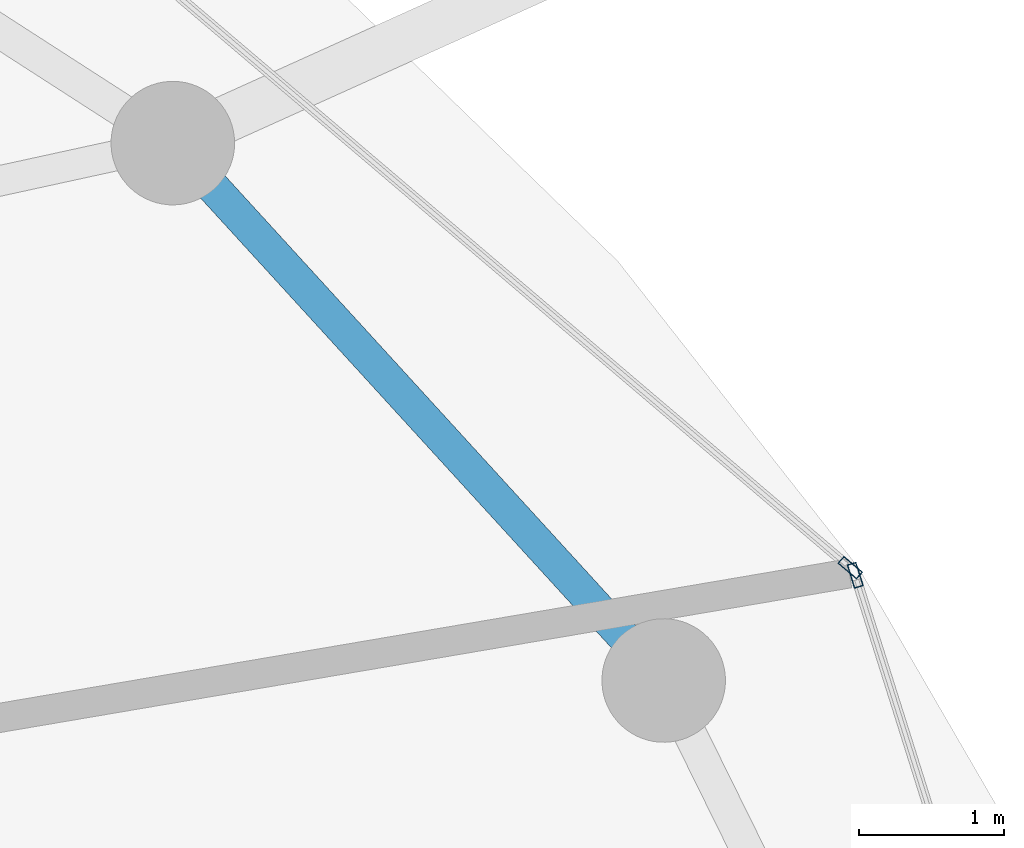
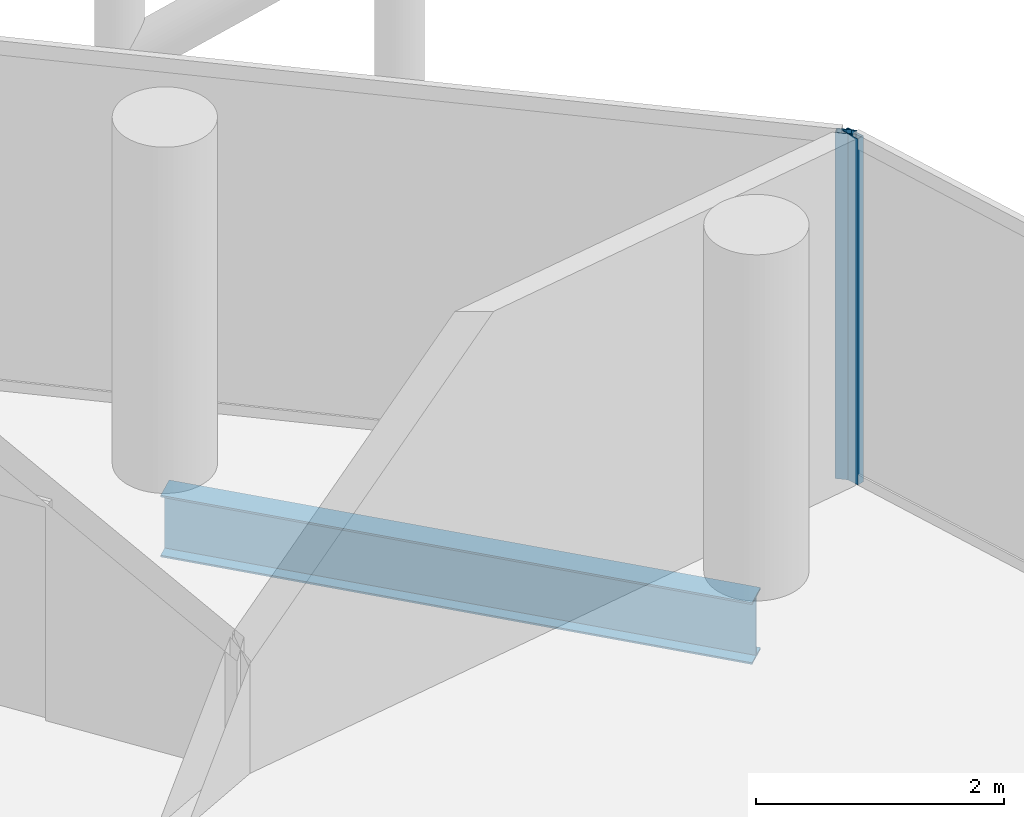
# One storey, part 17 of 27: 2 members, 1 beam, 2 elements without a shape of their own.
"""IFC4 building model written with IfcOpenShell, lengths in metres."""

from ifc_helpers import new_model, si_unit, direction, frame, origin, origin_2d, place, context, subcontext, project, spatial, hollow_rectangle, i_section, extrude, material, layer, layer_set, material_profile, profile_set, type_object, element, aggregate, save


model = new_model("IFC4")

# Units and contexts
model_context = context("Model", 3, precision=1e-05, world=origin(), true_north=direction((0.0, 1.0)))
body_context = subcontext(model_context, "Body", "Model", "MODEL_VIEW")
ifc_project = project(units=[si_unit("LENGTHUNIT", "METRE"), si_unit("AREAUNIT", "SQUARE_METRE"), si_unit("VOLUMEUNIT", "CUBIC_METRE"), si_unit("PLANEANGLEUNIT", "RADIAN"), si_unit("MASSUNIT", "GRAM", prefix="KILO")], contexts=[model_context])

# Site, building, storey
site_placement = place(None, origin())
site = spatial("IfcSite", under=ifc_project, at=site_placement, CompositionType="ELEMENT")
building_placement = place(site_placement, origin())
building = spatial("IfcBuilding", under=site, at=building_placement, Name="Nuhasar Tower", CompositionType="ELEMENT")
storey_placement = place(building_placement, frame((0.0, 0.0, 237.35009765625)))
storey = spatial("IfcBuildingStorey", under=building, at=storey_placement, Name="L58", CompositionType="ELEMENT", Elevation=237.35009765625)

# Beam
ifc_material_1 = material(Name="Steel S355", Category="steel")
ifc_material_profile_1 = material_profile(ifc_material_1, i_section(OverallWidth=0.22802734375, OverallDepth=0.60791015625, WebThickness=0.01123046875, FlangeThickness=0.017333984375, at=origin_2d()), Name="W24X76")
ifc_profile_set_1 = profile_set([ifc_material_profile_1], Name="Steel S355")
beam_type = type_object("IfcBeamType", Name="BM-RING-W24X76", PredefinedType="SPANDREL", material=ifc_profile_set_1)
beam_placement = place(storey_placement, frame((57.403076171875, 35.72509765625, -0.544189453125), z_axis=(-0.674449692975, 0.738320805373, 0.0), x_axis=(-0.738320805373, -0.674449692975, 0.0)))
element("IfcBeam", 1, at=beam_placement, inside=storey, type_object=beam_type, Name="L58 Perimeter Ring Spandrel 03", PredefinedType="SPANDREL", context=body_context, shape_type="SweptSolid", body=[
    extrude(i_section(OverallWidth=0.22802734375, OverallDepth=0.60791015625, WebThickness=0.01123046875, FlangeThickness=0.017333984375, at=origin_2d()), origin(), (0.0, 0.0, 1.0), 5.00732421875),
])

# Curtain wall, member
ifc_material_2 = material(Name="Aluminium 6063-T6", Category="aluminium")
ifc_layer = layer(ifc_material_2, 0.18994140625)
ifc_layer_set = layer_set([ifc_layer], Name="Aluminium 6063-T6")
curtain_wall_type = type_object("IfcCurtainWallType", Name="CW-Z3-RES", PredefinedType="NOTDEFINED", material=ifc_layer_set)
curtain_wall_1_placement = place(storey_placement, origin())
curtain_wall_1 = element("IfcCurtainWall", 2, at=curtain_wall_1_placement, inside=storey, type_object=curtain_wall_type, Name="L58 Unitised Curtain Wall 01", PredefinedType="NOTDEFINED")
ifc_material_profile_2 = material_profile(ifc_material_2, hollow_rectangle(XDim=0.06494140625, YDim=0.169921875, WallThickness=0.0048828125, at=origin_2d()), Name="CWM-4")
ifc_profile_set_2 = profile_set([ifc_material_profile_2], Name="Aluminium 6063-T6")
member_type = type_object("IfcMemberType", Name="CW-MUL-S4", PredefinedType="MULLION", material=ifc_profile_set_2)
member_1_placement = place(storey_placement, frame((58.720703125, 36.448974609375, 0.0), z_axis=(0.0, 0.0, 1.0), x_axis=(-0.95380429279, -0.30042864553, 0.0)))
member_1 = element("IfcMember", 3, at=member_1_placement, type_object=member_type, Name="CW-Z3 mullion 2", PredefinedType="MULLION", context=body_context, shape_type="SweptSolid", body=[
    extrude(hollow_rectangle(XDim=0.06494140625, YDim=0.169921875, WallThickness=0.0048828125, at=origin_2d()), origin(), (0.0, 0.0, 1.0), 3.409912109375),
])
aggregate(curtain_wall_1, [member_1])

curtain_wall_2_placement = place(storey_placement, origin())
curtain_wall_2 = element("IfcCurtainWall", 4, at=curtain_wall_2_placement, inside=storey, type_object=curtain_wall_type, Name="L58 Unitised Curtain Wall 02", PredefinedType="NOTDEFINED")
member_2_placement = place(storey_placement, frame((58.686279296875, 36.5009765625, 0.0), z_axis=(0.0, 0.0, 1.0), x_axis=(-0.64789521578, -0.761729472562, 0.0)))
member_2 = element("IfcMember", 5, at=member_2_placement, type_object=member_type, Name="CW-Z3 mullion 1", PredefinedType="MULLION", context=body_context, shape_type="SweptSolid", body=[
    extrude(hollow_rectangle(XDim=0.06494140625, YDim=0.169921875, WallThickness=0.0048828125, at=origin_2d()), origin(), (0.0, 0.0, 1.0), 3.409912109375),
])
aggregate(curtain_wall_2, [member_2])

save(model, "model.ifc")
